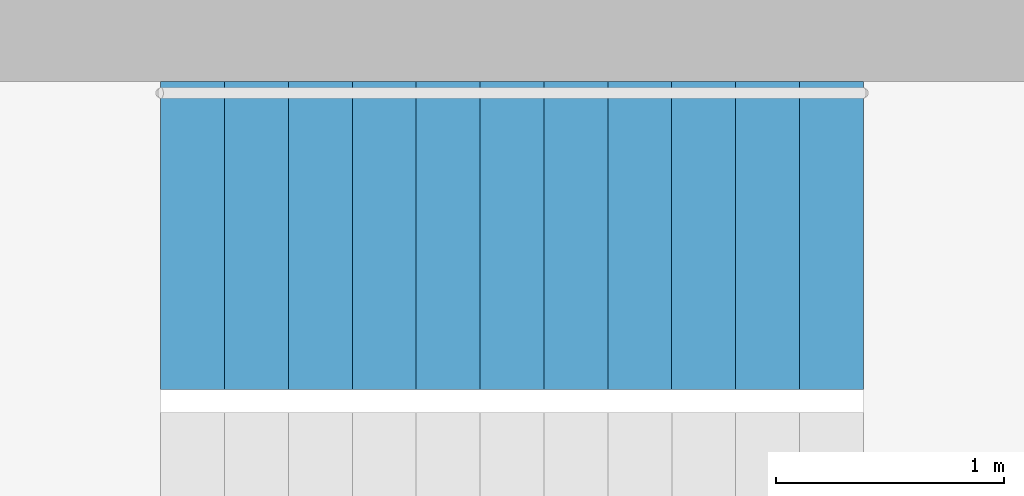
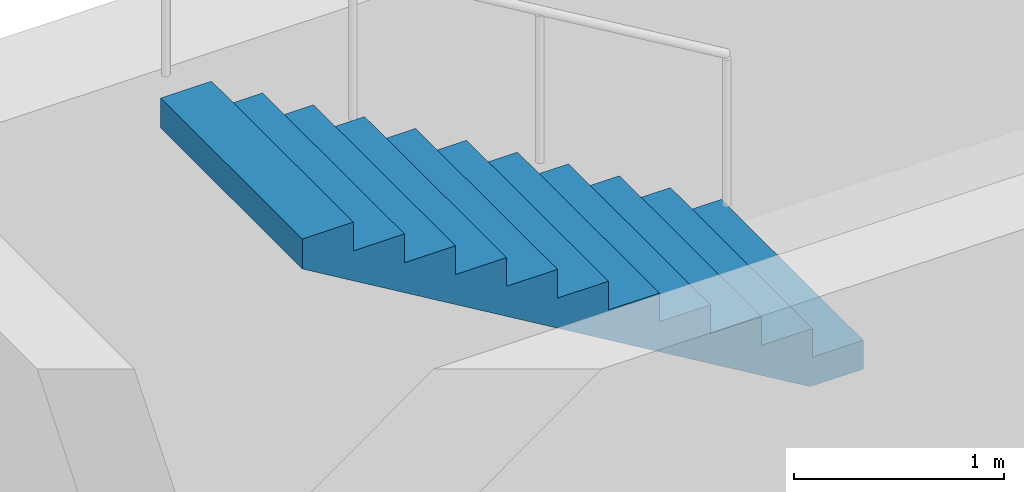
# One storey, part 5 of 6: 1 stair flight, 1 element without a shape of its own.
"""IFC4 building model written with IfcOpenShell, lengths in metres."""

from ifc_helpers import new_model, si_unit, direction, frame, origin, place, context, subcontext, project, spatial, polyline, outline, extrude, material, type_object, element, aggregate, save


model = new_model("IFC4")

# Units and contexts
model_context = context("Model", 3, precision=1e-05, world=origin(), true_north=direction((0.0, 1.0)))
body_context = subcontext(model_context, "Body", "Model", "MODEL_VIEW")
ifc_project = project(units=[si_unit("LENGTHUNIT", "METRE"), si_unit("AREAUNIT", "SQUARE_METRE"), si_unit("VOLUMEUNIT", "CUBIC_METRE"), si_unit("PLANEANGLEUNIT", "RADIAN"), si_unit("MASSUNIT", "GRAM", prefix="KILO")], contexts=[model_context])

# Site, building, storey
site_placement = place(None, origin())
site = spatial("IfcSite", under=ifc_project, at=site_placement, CompositionType="ELEMENT")
building_placement = place(site_placement, origin())
building = spatial("IfcBuilding", under=site, at=building_placement, Name="Skarvind Civic Tower", CompositionType="ELEMENT")
storey_placement = place(building_placement, frame((0.0, 0.0, 269.5)))
storey = spatial("IfcBuildingStorey", under=building, at=storey_placement, Name="L64", CompositionType="ELEMENT", Elevation=269.5)

# Stair, stair flight
ifc_material = material(Name="Concrete C40/50", Category="concrete")
stair_type = type_object("IfcStairType", Name="Exit stair, half-turn, concrete", PredefinedType="HALF_TURN_STAIR", material=ifc_material)
stair_placement = place(storey_placement, origin())
stair = element("IfcStair", 1, at=stair_placement, inside=storey, type_object=stair_type, Name="Exit stair C1S", PredefinedType="HALF_TURN_STAIR")
stair_flight_type = type_object("IfcStairFlightType", Name="Stair flight, concrete", PredefinedType="STRAIGHT", material=ifc_material)
stair_flight_placement = place(storey_placement, frame((104.429931640625, 137.72509765625, 2.0), z_axis=(0.0, 0.0, 1.0), x_axis=(-1.0, 0.0, 0.0)))
stair_flight = element("IfcStairFlight", 2, at=stair_flight_placement, type_object=stair_flight_type, Name="ST-C1S flight 2", NumberOfRisers=12, NumberOfTreads=11, PredefinedType="STRAIGHT", RiserHeight=0.166666667, TreadLength=0.28, context=body_context, shape_type="SweptSolid", body=[
    extrude(outline(polyline([(0.0, 0.0), (0.0, 0.166748046875), (0.280029296875, 0.166748046875), (0.280029296875, 0.333251953125), (0.56005859375, 0.333251953125), (0.56005859375, 0.5), (0.840087890625, 0.5), (0.840087890625, 0.666748046875), (1.1201171875, 0.666748046875), (1.1201171875, 0.833251953125), (1.39990234375, 0.833251953125), (1.39990234375, 1.0), (1.679931640625, 1.0), (1.679931640625, 1.166748046875), (1.9599609375, 1.166748046875), (1.9599609375, 1.333251953125), (2.239990234375, 1.333251953125), (2.239990234375, 1.5), (2.52001953125, 1.5), (2.52001953125, 1.666748046875), (2.800048828125, 1.666748046875), (2.800048828125, 1.833251953125), (3.080078125, 1.833251953125), (3.080078125, 2.0), (3.080078125, 1.658935546875), (0.29296875, 0.0), (0.0, 0.0)])), frame((0.0, 0.675048828125, 0.0), z_axis=(0.0, -1.0, 0.0), x_axis=(1.0, 0.0, 0.0)), (0.0, 0.0, 1.0), 1.35009765625),
])
aggregate(stair, [stair_flight])

save(model, "model.ifc")
